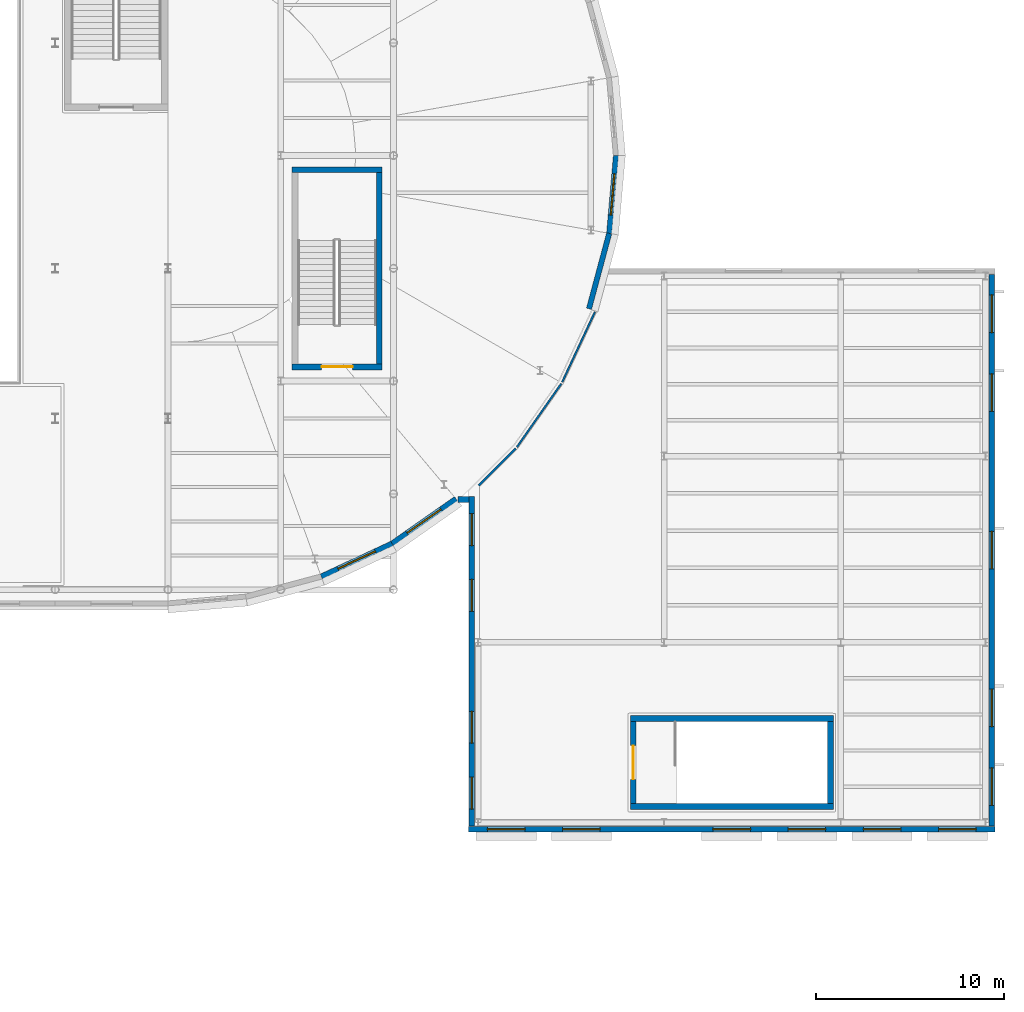
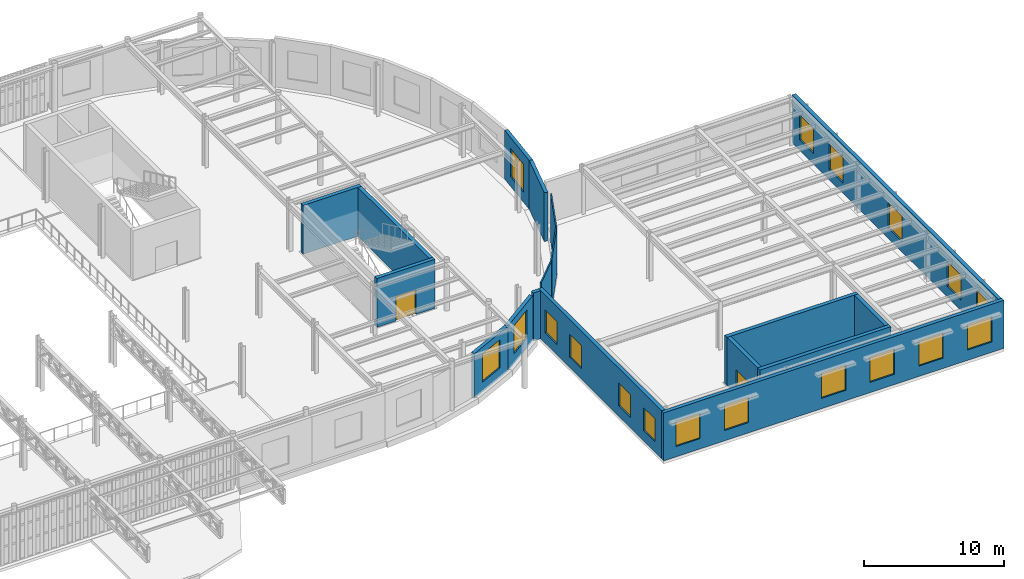
# One storey, part 70 of 91: 18 walls, 18 windows, 2 doors, 20 openings.
"""IFC4 building model written with IfcOpenShell, lengths in metres."""

from ifc_helpers import new_model, si_unit, direction, frame, frame_2d, origin, place, context, subcontext, project, spatial, rectangle, extrude, material, layer, layer_set, type_object, element, fill, save


model = new_model("IFC4")

# Units and contexts
model_context = context("Model", 3, precision=1e-05, world=origin(), true_north=direction((0.0, 1.0)))
body_context = subcontext(model_context, "Body", "Model", "MODEL_VIEW")
ifc_project = project(units=[si_unit("LENGTHUNIT", "METRE"), si_unit("AREAUNIT", "SQUARE_METRE"), si_unit("VOLUMEUNIT", "CUBIC_METRE"), si_unit("PLANEANGLEUNIT", "RADIAN"), si_unit("MASSUNIT", "GRAM", prefix="KILO")], contexts=[model_context])

# Site, building, storey
site_placement = place(None, origin())
site = spatial("IfcSite", under=ifc_project, at=site_placement, CompositionType="ELEMENT")
building_placement = place(site_placement, origin())
building = spatial("IfcBuilding", under=site, at=building_placement, Name="Kolvaren Corner Interchange", CompositionType="ELEMENT")
storey_placement = place(building_placement, frame((0.0, 0.0, 6.0)))
storey = spatial("IfcBuildingStorey", under=building, at=storey_placement, Name="L02", CompositionType="ELEMENT", Elevation=6.0)

# Wall, opening, door
ifc_material_1 = material(Name="Concrete C35/45", Category="concrete")
ifc_layer_1 = layer(ifc_material_1, 0.31005859375)
ifc_layer_set_1 = layer_set([ifc_layer_1], Name="Concrete C35/45")
wall_type_1 = type_object("IfcWallType", Name="WL-STAIR-300", PredefinedType="SHEAR", material=ifc_layer_set_1)
wall_1_placement = place(storey_placement, frame((126.60009765625, 36.7548828125, 0.0), z_axis=(0.0, 0.0, 1.0), x_axis=(1.0, 0.0, 0.0)))
wall_1 = element("IfcWall", 1, at=wall_1_placement, inside=storey, type_object=wall_type_1, Name="East Racetrack Concourse Gallery Stair L02 South Enclosure Wall", PredefinedType="SHEAR", context=body_context, shape_type="SweptSolid", body=[
    extrude(rectangle(XDim=4.7998046875, YDim=0.31005859375, at=frame_2d((2.39990234375, 0.0))), origin(), (0.0, 0.0, 1.0), 4.25),
])
opening_1_placement = place(wall_1_placement, frame((1.574951171875, 0.0, 0.0)))
opening_1 = element("IfcOpeningElement", 2, at=opening_1_placement, cuts=wall_1, Name="Opening D-F06", PredefinedType="OPENING", context=body_context, shape_type="SweptSolid", body=[
    extrude(rectangle(XDim=1.64990234375, YDim=2.14990234375, at=frame_2d((0.824951171875, 1.074951171875))), frame((0.0, 0.1650390625, 0.0), z_axis=(0.0, -1.0, 0.0), x_axis=(1.0, 0.0, 0.0)), (0.0, 0.0, 1.0), 0.330078125),
])
ifc_material_2 = material(Name="Powder-coated Fire-rated Steel Sheet", Category="steel")
door_type_1 = type_object("IfcDoorType", Name="DT-FD-1650x2150", OperationType="NOTDEFINED", PredefinedType="DOOR", material=ifc_material_2)
door_1_placement = place(opening_1_placement, origin())
door_1 = element("IfcDoor", 3, at=door_1_placement, inside=storey, type_object=door_type_1, Name="East Racetrack Concourse Gallery Stair L02 Protected Exit Door", OperationType="DOUBLE_DOOR_SINGLE_SWING", OverallHeight=2.14990234375, OverallWidth=1.64990234375, PredefinedType="DOOR", context=body_context, shape_type="SweptSolid", body=[
    extrude(rectangle(XDim=1.64990234375, YDim=2.14990234375, at=frame_2d((0.824951171875, 1.074951171875))), frame((0.0, 0.02490234375, 0.0), z_axis=(0.0, -1.0, 0.0), x_axis=(1.0, 0.0, 0.0)), (0.0, 0.0, 1.0), 0.050048828125),
])
fill(opening_1, door_1)

# Walls
wall_2_placement = place(storey_placement, frame((126.60009765625, 47.2451171875, 0.0), z_axis=(0.0, 0.0, 1.0), x_axis=(1.0, 0.0, 0.0)))
element("IfcWall", 4, at=wall_2_placement, inside=storey, type_object=wall_type_1, Name="East Racetrack Concourse Gallery Stair L02 North Enclosure Wall", PredefinedType="SHEAR", context=body_context, shape_type="SweptSolid", body=[
    extrude(rectangle(XDim=4.7998046875, YDim=0.31005859375, at=frame_2d((2.39990234375, 0.0))), origin(), (0.0, 0.0, 1.0), 4.25),
])
wall_3_placement = place(storey_placement, frame((131.2451171875, 36.909912109375, 0.0), z_axis=(0.0, 0.0, 1.0), x_axis=(0.0, 1.0, 0.0)))
element("IfcWall", 5, at=wall_3_placement, inside=storey, type_object=wall_type_1, Name="East Racetrack Concourse Gallery Stair L02 East Enclosure Wall", PredefinedType="SHEAR", context=body_context, shape_type="SweptSolid", body=[
    extrude(rectangle(XDim=10.18017578125, YDim=0.31005859375, at=frame_2d((5.090087890625, 0.0))), origin(), (0.0, 0.0, 1.0), 4.25),
])
for number, where, z_axis, x_axis, name in (
    (6, (144.60009765625, 13.35498046875, 0.0), (0.0, 0.0, 1.0), (1.0, 0.0, 0.0), "Bus Dispatch Lounge Exit Stair L02 South Enclosure Wall"),
    (7, (144.60009765625, 18.044921875, 0.0), (0.0, 0.0, 1.0), (1.0, 0.0, 0.0), "Bus Dispatch Lounge Exit Stair L02 North Enclosure Wall"),
):
    element("IfcWall", number, at=place(storey_placement, frame(where, z_axis=z_axis, x_axis=x_axis)), inside=storey, type_object=wall_type_1, Name=name, PredefinedType="SHEAR", context=body_context, shape_type="SweptSolid", body=[
        extrude(rectangle(XDim=10.7998046875, YDim=0.31005859375, at=frame_2d((5.39990234375, 0.0))), origin(), (0.0, 0.0, 1.0), 4.179931640625),
    ])

# Wall, opening, door
wall_4_placement = place(storey_placement, frame((144.7548828125, 13.510009765625, 0.0), z_axis=(0.0, 0.0, 1.0), x_axis=(0.0, 1.0, 0.0)))
wall_4 = element("IfcWall", 8, at=wall_4_placement, inside=storey, type_object=wall_type_1, Name="Bus Dispatch Lounge Exit Stair L02 West Enclosure Wall", PredefinedType="SHEAR", context=body_context, shape_type="SweptSolid", body=[
    extrude(rectangle(XDim=4.3798828125, YDim=0.31005859375, at=frame_2d((2.18994140625, 0.0))), origin(), (0.0, 0.0, 1.0), 4.179931640625),
])
opening_2_placement = place(wall_4_placement, frame((1.2900390625, 0.0, 0.0)))
opening_2 = element("IfcOpeningElement", 9, at=opening_2_placement, cuts=wall_4, Name="Opening D-F01", PredefinedType="OPENING", context=body_context, shape_type="SweptSolid", body=[
    extrude(rectangle(XDim=1.800048828125, YDim=2.14990234375, at=frame_2d((0.89990234375, 1.074951171875))), frame((0.0, 0.1650390625, 0.0), z_axis=(0.0, -1.0, 0.0), x_axis=(1.0, 0.0, 0.0)), (0.0, 0.0, 1.0), 0.330078125),
])
ifc_material_3 = material(Name="Powder-coated Fire-rated Steel Sheet", Category="steel")
door_type_2 = type_object("IfcDoorType", Name="DT-FD-1800x2150", OperationType="NOTDEFINED", PredefinedType="DOOR", material=ifc_material_3)
door_2_placement = place(opening_2_placement, origin())
door_2 = element("IfcDoor", 10, at=door_2_placement, inside=storey, type_object=door_type_2, Name="Bus Dispatch Lounge Exit Stair L02 Protected Exit Door", OperationType="DOUBLE_DOOR_SINGLE_SWING", OverallHeight=2.14990234375, OverallWidth=1.800048828125, PredefinedType="DOOR", context=body_context, shape_type="SweptSolid", body=[
    extrude(rectangle(XDim=1.800048828125, YDim=2.14990234375, at=frame_2d((0.89990234375, 1.074951171875))), frame((0.0, 0.02490234375, 0.0), z_axis=(0.0, -1.0, 0.0), x_axis=(1.0, 0.0, 0.0)), (0.0, 0.0, 1.0), 0.050048828125),
])
fill(opening_2, door_2)

# Wall
wall_5_placement = place(storey_placement, frame((155.2451171875, 13.510009765625, 0.0), z_axis=(0.0, 0.0, 1.0), x_axis=(0.0, 1.0, 0.0)))
element("IfcWall", 11, at=wall_5_placement, inside=storey, type_object=wall_type_1, Name="Bus Dispatch Lounge Exit Stair L02 East Enclosure Wall", PredefinedType="SHEAR", context=body_context, shape_type="SweptSolid", body=[
    extrude(rectangle(XDim=4.3798828125, YDim=0.31005859375, at=frame_2d((2.18994140625, 0.0))), origin(), (0.0, 0.0, 1.0), 4.179931640625),
])

# Wall, openings, windows
ifc_material_4 = material(Name="Ochre Architectural Terracotta Rainscreen Assembly", Category="masonry")
ifc_layer_2 = layer(ifc_material_4, 0.300048828125)
ifc_layer_set_2 = layer_set([ifc_layer_2], Name="Ochre Architectural Terracotta Rainscreen Assembly")
wall_type_2 = type_object("IfcWallType", Name="WT-EXT-OCH300", PredefinedType="SOLIDWALL", material=ifc_layer_set_2)
wall_6_placement = place(storey_placement, frame((136.0, 12.159912109375, 0.0), z_axis=(0.0, 0.0, 1.0), x_axis=(1.0, 0.0, 0.0)))
wall_6 = element("IfcWall", 12, at=wall_6_placement, inside=storey, type_object=wall_type_2, Name="Bus Lounge Upper South Facade Wall 0194", PredefinedType="SOLIDWALL", context=body_context, shape_type="SweptSolid", body=[
    extrude(rectangle(XDim=28.0, YDim=0.300048828125, at=frame_2d((14.0, 0.0))), origin(), (0.0, 0.0, 1.0), 4.179931640625),
])
opening_3_placement = place(wall_6_placement, frame((1.0, 0.0, 0.89990234375)))
opening_3 = element("IfcOpeningElement", 13, at=opening_3_placement, cuts=wall_6, Name="Opening W-06", PredefinedType="OPENING", context=body_context, shape_type="SweptSolid", body=[
    extrude(rectangle(XDim=2.0, YDim=2.199951171875, at=frame_2d((1.0, 1.10009765625))), frame((0.0, 0.159912109375, 0.0), z_axis=(0.0, -1.0, 0.0), x_axis=(1.0, 0.0, 0.0)), (0.0, 0.0, 1.0), 0.320068359375),
])
opening_4_placement = place(wall_6_placement, frame((5.0, 0.0, 0.89990234375)))
opening_4 = element("IfcOpeningElement", 14, at=opening_4_placement, cuts=wall_6, Name="Opening W-06", PredefinedType="OPENING", context=body_context, shape_type="SweptSolid", body=[
    extrude(rectangle(XDim=2.0, YDim=2.199951171875, at=frame_2d((1.0, 1.10009765625))), frame((0.0, 0.159912109375, 0.0), z_axis=(0.0, -1.0, 0.0), x_axis=(1.0, 0.0, 0.0)), (0.0, 0.0, 1.0), 0.320068359375),
])
opening_5_placement = place(wall_6_placement, frame((13.0, 0.0, 0.89990234375)))
opening_5 = element("IfcOpeningElement", 15, at=opening_5_placement, cuts=wall_6, Name="Opening W-06", PredefinedType="OPENING", context=body_context, shape_type="SweptSolid", body=[
    extrude(rectangle(XDim=2.0, YDim=2.199951171875, at=frame_2d((1.0, 1.10009765625))), frame((0.0, 0.159912109375, 0.0), z_axis=(0.0, -1.0, 0.0), x_axis=(1.0, 0.0, 0.0)), (0.0, 0.0, 1.0), 0.320068359375),
])
opening_6_placement = place(wall_6_placement, frame((17.0, 0.0, 0.89990234375)))
opening_6 = element("IfcOpeningElement", 16, at=opening_6_placement, cuts=wall_6, Name="Opening W-06", PredefinedType="OPENING", context=body_context, shape_type="SweptSolid", body=[
    extrude(rectangle(XDim=2.0, YDim=2.199951171875, at=frame_2d((1.0, 1.10009765625))), frame((0.0, 0.159912109375, 0.0), z_axis=(0.0, -1.0, 0.0), x_axis=(1.0, 0.0, 0.0)), (0.0, 0.0, 1.0), 0.320068359375),
])
opening_7_placement = place(wall_6_placement, frame((21.0, 0.0, 0.89990234375)))
opening_7 = element("IfcOpeningElement", 17, at=opening_7_placement, cuts=wall_6, Name="Opening W-06", PredefinedType="OPENING", context=body_context, shape_type="SweptSolid", body=[
    extrude(rectangle(XDim=2.0, YDim=2.199951171875, at=frame_2d((1.0, 1.10009765625))), frame((0.0, 0.159912109375, 0.0), z_axis=(0.0, -1.0, 0.0), x_axis=(1.0, 0.0, 0.0)), (0.0, 0.0, 1.0), 0.320068359375),
])
opening_8_placement = place(wall_6_placement, frame((25.0, 0.0, 0.89990234375)))
opening_8 = element("IfcOpeningElement", 18, at=opening_8_placement, cuts=wall_6, Name="Opening W-06", PredefinedType="OPENING", context=body_context, shape_type="SweptSolid", body=[
    extrude(rectangle(XDim=2.0, YDim=2.199951171875, at=frame_2d((1.0, 1.10009765625))), frame((0.0, 0.159912109375, 0.0), z_axis=(0.0, -1.0, 0.0), x_axis=(1.0, 0.0, 0.0)), (0.0, 0.0, 1.0), 0.320068359375),
])
ifc_material_5 = material(Name="Thermally Broken Aluminium and Solar-Control Double Glazing", Category="aluminium")
window_type_1 = type_object("IfcWindowType", Name="WT-CYC-2000x2200", PartitioningType="DOUBLE_PANEL_HORIZONTAL", PredefinedType="WINDOW", material=ifc_material_5)
window_1_placement = place(opening_3_placement, origin())
window_1 = element("IfcWindow", 19, at=window_1_placement, inside=storey, type_object=window_type_1, Name="L02 Bus Lounge Upper South Facade Window 0306", OverallHeight=2.199951171875, OverallWidth=2.0, PartitioningType="SINGLE_PANEL", PredefinedType="WINDOW", context=body_context, shape_type="SweptSolid", body=[
    extrude(rectangle(XDim=2.0, YDim=2.199951171875, at=frame_2d((1.0, 1.10009765625))), frame((0.0, 0.030029296875, 0.0), z_axis=(0.0, -1.0, 0.0), x_axis=(1.0, 0.0, 0.0)), (0.0, 0.0, 1.0), 0.06005859375),
])
fill(opening_3, window_1)
window_2_placement = place(opening_4_placement, origin())
window_2 = element("IfcWindow", 20, at=window_2_placement, inside=storey, type_object=window_type_1, Name="L02 Bus Lounge Upper South Facade Window 0307", OverallHeight=2.199951171875, OverallWidth=2.0, PartitioningType="SINGLE_PANEL", PredefinedType="WINDOW", context=body_context, shape_type="SweptSolid", body=[
    extrude(rectangle(XDim=2.0, YDim=2.199951171875, at=frame_2d((1.0, 1.10009765625))), frame((0.0, 0.030029296875, 0.0), z_axis=(0.0, -1.0, 0.0), x_axis=(1.0, 0.0, 0.0)), (0.0, 0.0, 1.0), 0.06005859375),
])
fill(opening_4, window_2)
window_3_placement = place(opening_5_placement, origin())
window_3 = element("IfcWindow", 21, at=window_3_placement, inside=storey, type_object=window_type_1, Name="L02 Bus Lounge Upper South Facade Window 0308", OverallHeight=2.199951171875, OverallWidth=2.0, PartitioningType="SINGLE_PANEL", PredefinedType="WINDOW", context=body_context, shape_type="SweptSolid", body=[
    extrude(rectangle(XDim=2.0, YDim=2.199951171875, at=frame_2d((1.0, 1.10009765625))), frame((0.0, 0.030029296875, 0.0), z_axis=(0.0, -1.0, 0.0), x_axis=(1.0, 0.0, 0.0)), (0.0, 0.0, 1.0), 0.06005859375),
])
fill(opening_5, window_3)
window_4_placement = place(opening_6_placement, origin())
window_4 = element("IfcWindow", 22, at=window_4_placement, inside=storey, type_object=window_type_1, Name="L02 Bus Lounge Upper South Facade Window 0309", OverallHeight=2.199951171875, OverallWidth=2.0, PartitioningType="SINGLE_PANEL", PredefinedType="WINDOW", context=body_context, shape_type="SweptSolid", body=[
    extrude(rectangle(XDim=2.0, YDim=2.199951171875, at=frame_2d((1.0, 1.10009765625))), frame((0.0, 0.030029296875, 0.0), z_axis=(0.0, -1.0, 0.0), x_axis=(1.0, 0.0, 0.0)), (0.0, 0.0, 1.0), 0.06005859375),
])
fill(opening_6, window_4)
window_5_placement = place(opening_7_placement, origin())
window_5 = element("IfcWindow", 23, at=window_5_placement, inside=storey, type_object=window_type_1, Name="L02 Bus Lounge Upper South Facade Window 0310", OverallHeight=2.199951171875, OverallWidth=2.0, PartitioningType="SINGLE_PANEL", PredefinedType="WINDOW", context=body_context, shape_type="SweptSolid", body=[
    extrude(rectangle(XDim=2.0, YDim=2.199951171875, at=frame_2d((1.0, 1.10009765625))), frame((0.0, 0.030029296875, 0.0), z_axis=(0.0, -1.0, 0.0), x_axis=(1.0, 0.0, 0.0)), (0.0, 0.0, 1.0), 0.06005859375),
])
fill(opening_7, window_5)
window_6_placement = place(opening_8_placement, origin())
window_6 = element("IfcWindow", 24, at=window_6_placement, inside=storey, type_object=window_type_1, Name="L02 Bus Lounge Upper South Facade Window 0311", OverallHeight=2.199951171875, OverallWidth=2.0, PartitioningType="SINGLE_PANEL", PredefinedType="WINDOW", context=body_context, shape_type="SweptSolid", body=[
    extrude(rectangle(XDim=2.0, YDim=2.199951171875, at=frame_2d((1.0, 1.10009765625))), frame((0.0, 0.030029296875, 0.0), z_axis=(0.0, -1.0, 0.0), x_axis=(1.0, 0.0, 0.0)), (0.0, 0.0, 1.0), 0.06005859375),
])
fill(opening_8, window_6)

wall_7_placement = place(storey_placement, frame((163.840087890625, 12.320068359375, 0.0), z_axis=(0.0, 0.0, 1.0), x_axis=(0.0, 1.0, 0.0)))
wall_7 = element("IfcWall", 25, at=wall_7_placement, inside=storey, type_object=wall_type_2, Name="Bus Lounge Upper East Facade Wall 0195", PredefinedType="SOLIDWALL", context=body_context, shape_type="SweptSolid", body=[
    extrude(rectangle(XDim=29.35986328125, YDim=0.300048828125, at=frame_2d((14.679931640625, 0.0))), origin(), (0.0, 0.0, 1.0), 4.179931640625),
])
opening_9_placement = place(wall_7_placement, frame((1.09716796875, 0.0, 0.89990234375)))
opening_9 = element("IfcOpeningElement", 26, at=opening_9_placement, cuts=wall_7, Name="Opening W-06", PredefinedType="OPENING", context=body_context, shape_type="SweptSolid", body=[
    extrude(rectangle(XDim=2.0, YDim=2.199951171875, at=frame_2d((1.0, 1.10009765625))), frame((0.0, 0.159912109375, 0.0), z_axis=(0.0, -1.0, 0.0), x_axis=(1.0, 0.0, 0.0)), (0.0, 0.0, 1.0), 0.320068359375),
])
opening_10_placement = place(wall_7_placement, frame((5.29150390625, 0.0, 0.89990234375)))
opening_10 = element("IfcOpeningElement", 27, at=opening_10_placement, cuts=wall_7, Name="Opening W-06", PredefinedType="OPENING", context=body_context, shape_type="SweptSolid", body=[
    extrude(rectangle(XDim=2.0, YDim=2.199951171875, at=frame_2d((1.0, 1.10009765625))), frame((0.0, 0.159912109375, 0.0), z_axis=(0.0, -1.0, 0.0), x_axis=(1.0, 0.0, 0.0)), (0.0, 0.0, 1.0), 0.320068359375),
])
opening_11_placement = place(wall_7_placement, frame((13.679931640625, 0.0, 0.89990234375)))
opening_11 = element("IfcOpeningElement", 28, at=opening_11_placement, cuts=wall_7, Name="Opening W-06", PredefinedType="OPENING", context=body_context, shape_type="SweptSolid", body=[
    extrude(rectangle(XDim=2.0, YDim=2.199951171875, at=frame_2d((1.0, 1.10009765625))), frame((0.0, 0.159912109375, 0.0), z_axis=(0.0, -1.0, 0.0), x_axis=(1.0, 0.0, 0.0)), (0.0, 0.0, 1.0), 0.320068359375),
])
opening_12_placement = place(wall_7_placement, frame((22.068603515625, 0.0, 0.89990234375)))
opening_12 = element("IfcOpeningElement", 29, at=opening_12_placement, cuts=wall_7, Name="Opening W-06", PredefinedType="OPENING", context=body_context, shape_type="SweptSolid", body=[
    extrude(rectangle(XDim=2.0, YDim=2.199951171875, at=frame_2d((1.0, 1.10009765625))), frame((0.0, 0.159912109375, 0.0), z_axis=(0.0, -1.0, 0.0), x_axis=(1.0, 0.0, 0.0)), (0.0, 0.0, 1.0), 0.320068359375),
])
opening_13_placement = place(wall_7_placement, frame((26.262939453125, 0.0, 0.89990234375)))
opening_13 = element("IfcOpeningElement", 30, at=opening_13_placement, cuts=wall_7, Name="Opening W-06", PredefinedType="OPENING", context=body_context, shape_type="SweptSolid", body=[
    extrude(rectangle(XDim=2.0, YDim=2.199951171875, at=frame_2d((1.0, 1.10009765625))), frame((0.0, 0.159912109375, 0.0), z_axis=(0.0, -1.0, 0.0), x_axis=(1.0, 0.0, 0.0)), (0.0, 0.0, 1.0), 0.320068359375),
])
window_7_placement = place(opening_9_placement, origin())
window_7 = element("IfcWindow", 31, at=window_7_placement, inside=storey, type_object=window_type_1, Name="L02 Bus Lounge Upper East Facade Window 0312", OverallHeight=2.199951171875, OverallWidth=2.0, PartitioningType="SINGLE_PANEL", PredefinedType="WINDOW", context=body_context, shape_type="SweptSolid", body=[
    extrude(rectangle(XDim=2.0, YDim=2.199951171875, at=frame_2d((1.0, 1.10009765625))), frame((0.0, 0.030029296875, 0.0), z_axis=(0.0, -1.0, 0.0), x_axis=(1.0, 0.0, 0.0)), (0.0, 0.0, 1.0), 0.06005859375),
])
fill(opening_9, window_7)
window_8_placement = place(opening_10_placement, origin())
window_8 = element("IfcWindow", 32, at=window_8_placement, inside=storey, type_object=window_type_1, Name="L02 Bus Lounge Upper East Facade Window 0313", OverallHeight=2.199951171875, OverallWidth=2.0, PartitioningType="SINGLE_PANEL", PredefinedType="WINDOW", context=body_context, shape_type="SweptSolid", body=[
    extrude(rectangle(XDim=2.0, YDim=2.199951171875, at=frame_2d((1.0, 1.10009765625))), frame((0.0, 0.030029296875, 0.0), z_axis=(0.0, -1.0, 0.0), x_axis=(1.0, 0.0, 0.0)), (0.0, 0.0, 1.0), 0.06005859375),
])
fill(opening_10, window_8)
window_9_placement = place(opening_11_placement, origin())
window_9 = element("IfcWindow", 33, at=window_9_placement, inside=storey, type_object=window_type_1, Name="L02 Bus Lounge Upper East Facade Window 0314", OverallHeight=2.199951171875, OverallWidth=2.0, PartitioningType="SINGLE_PANEL", PredefinedType="WINDOW", context=body_context, shape_type="SweptSolid", body=[
    extrude(rectangle(XDim=2.0, YDim=2.199951171875, at=frame_2d((1.0, 1.10009765625))), frame((0.0, 0.030029296875, 0.0), z_axis=(0.0, -1.0, 0.0), x_axis=(1.0, 0.0, 0.0)), (0.0, 0.0, 1.0), 0.06005859375),
])
fill(opening_11, window_9)
window_10_placement = place(opening_12_placement, origin())
window_10 = element("IfcWindow", 34, at=window_10_placement, inside=storey, type_object=window_type_1, Name="L02 Bus Lounge Upper East Facade Window 0315", OverallHeight=2.199951171875, OverallWidth=2.0, PartitioningType="SINGLE_PANEL", PredefinedType="WINDOW", context=body_context, shape_type="SweptSolid", body=[
    extrude(rectangle(XDim=2.0, YDim=2.199951171875, at=frame_2d((1.0, 1.10009765625))), frame((0.0, 0.030029296875, 0.0), z_axis=(0.0, -1.0, 0.0), x_axis=(1.0, 0.0, 0.0)), (0.0, 0.0, 1.0), 0.06005859375),
])
fill(opening_12, window_10)
window_11_placement = place(opening_13_placement, origin())
window_11 = element("IfcWindow", 35, at=window_11_placement, inside=storey, type_object=window_type_1, Name="L02 Bus Lounge Upper East Facade Window 0316", OverallHeight=2.199951171875, OverallWidth=2.0, PartitioningType="SINGLE_PANEL", PredefinedType="WINDOW", context=body_context, shape_type="SweptSolid", body=[
    extrude(rectangle(XDim=2.0, YDim=2.199951171875, at=frame_2d((1.0, 1.10009765625))), frame((0.0, 0.030029296875, 0.0), z_axis=(0.0, -1.0, 0.0), x_axis=(1.0, 0.0, 0.0)), (0.0, 0.0, 1.0), 0.06005859375),
])
fill(opening_13, window_11)

# Wall
wall_8_placement = place(storey_placement, frame((135.419921875, 29.699951171875, 0.0), z_axis=(0.0, 0.0, 1.0), x_axis=(1.0, 0.0, 0.0)))
element("IfcWall", 36, at=wall_8_placement, inside=storey, type_object=wall_type_2, Name="Bus Lounge Racetrack Closure Wall 0197", PredefinedType="SOLIDWALL", context=body_context, shape_type="SweptSolid", body=[
    extrude(rectangle(XDim=0.590087890625, YDim=0.300048828125, at=frame_2d((0.294921875, 0.0))), origin(), (0.0, 0.0, 1.0), 4.179931640625),
])

# Wall, openings, windows
wall_9_placement = place(storey_placement, frame((136.159912109375, 29.85009765625, 0.0), z_axis=(0.0, 0.0, 1.0), x_axis=(0.0, -1.0, 0.0)))
wall_9 = element("IfcWall", 37, at=wall_9_placement, inside=storey, type_object=wall_type_2, Name="Bus Lounge Upper West Forecourt Facade Wall 0198", PredefinedType="SOLIDWALL", context=body_context, shape_type="SweptSolid", body=[
    extrude(rectangle(XDim=17.530029296875, YDim=0.300048828125, at=frame_2d((8.76513671875, 0.0))), origin(), (0.0, 0.0, 1.0), 4.179931640625),
])
opening_14_placement = place(wall_9_placement, frame((0.903076171875, 0.0, 0.89990234375)))
opening_14 = element("IfcOpeningElement", 38, at=opening_14_placement, cuts=wall_9, Name="Opening W-16", PredefinedType="OPENING", context=body_context, shape_type="SweptSolid", body=[
    extrude(rectangle(XDim=1.699951171875, YDim=2.0, at=frame_2d((0.85009765625, 1.0))), frame((0.0, 0.159912109375, 0.0), z_axis=(0.0, -1.0, 0.0), x_axis=(1.0, 0.0, 0.0)), (0.0, 0.0, 1.0), 0.320068359375),
])
opening_15_placement = place(wall_9_placement, frame((4.408935546875, 0.0, 0.89990234375)))
opening_15 = element("IfcOpeningElement", 39, at=opening_15_placement, cuts=wall_9, Name="Opening W-16", PredefinedType="OPENING", context=body_context, shape_type="SweptSolid", body=[
    extrude(rectangle(XDim=1.699951171875, YDim=2.0, at=frame_2d((0.85009765625, 1.0))), frame((0.0, 0.159912109375, 0.0), z_axis=(0.0, -1.0, 0.0), x_axis=(1.0, 0.0, 0.0)), (0.0, 0.0, 1.0), 0.320068359375),
])
opening_16_placement = place(wall_9_placement, frame((11.4208984375, 0.0, 0.89990234375)))
opening_16 = element("IfcOpeningElement", 40, at=opening_16_placement, cuts=wall_9, Name="Opening W-16", PredefinedType="OPENING", context=body_context, shape_type="SweptSolid", body=[
    extrude(rectangle(XDim=1.699951171875, YDim=2.0, at=frame_2d((0.85009765625, 1.0))), frame((0.0, 0.159912109375, 0.0), z_axis=(0.0, -1.0, 0.0), x_axis=(1.0, 0.0, 0.0)), (0.0, 0.0, 1.0), 0.320068359375),
])
opening_17_placement = place(wall_9_placement, frame((14.927001953125, 0.0, 0.89990234375)))
opening_17 = element("IfcOpeningElement", 41, at=opening_17_placement, cuts=wall_9, Name="Opening W-16", PredefinedType="OPENING", context=body_context, shape_type="SweptSolid", body=[
    extrude(rectangle(XDim=1.699951171875, YDim=2.0, at=frame_2d((0.85009765625, 1.0))), frame((0.0, 0.159912109375, 0.0), z_axis=(0.0, -1.0, 0.0), x_axis=(1.0, 0.0, 0.0)), (0.0, 0.0, 1.0), 0.320068359375),
])
ifc_material_6 = material(Name="Thermally Broken Aluminium and Solar-Control Double Glazing", Category="aluminium")
window_type_2 = type_object("IfcWindowType", Name="WT-CYC-1700x2000", PartitioningType="DOUBLE_PANEL_HORIZONTAL", PredefinedType="WINDOW", material=ifc_material_6)
window_12_placement = place(opening_14_placement, origin())
window_12 = element("IfcWindow", 42, at=window_12_placement, inside=storey, type_object=window_type_2, Name="L02 Bus Lounge Upper West Forecourt Facade Window 0319", OverallHeight=2.0, OverallWidth=1.699951171875, PartitioningType="SINGLE_PANEL", PredefinedType="WINDOW", context=body_context, shape_type="SweptSolid", body=[
    extrude(rectangle(XDim=1.699951171875, YDim=2.0, at=frame_2d((0.85009765625, 1.0))), frame((0.0, 0.030029296875, 0.0), z_axis=(0.0, -1.0, 0.0), x_axis=(1.0, 0.0, 0.0)), (0.0, 0.0, 1.0), 0.06005859375),
])
fill(opening_14, window_12)
window_13_placement = place(opening_15_placement, origin())
window_13 = element("IfcWindow", 43, at=window_13_placement, inside=storey, type_object=window_type_2, Name="L02 Bus Lounge Upper West Forecourt Facade Window 0320", OverallHeight=2.0, OverallWidth=1.699951171875, PartitioningType="SINGLE_PANEL", PredefinedType="WINDOW", context=body_context, shape_type="SweptSolid", body=[
    extrude(rectangle(XDim=1.699951171875, YDim=2.0, at=frame_2d((0.85009765625, 1.0))), frame((0.0, 0.030029296875, 0.0), z_axis=(0.0, -1.0, 0.0), x_axis=(1.0, 0.0, 0.0)), (0.0, 0.0, 1.0), 0.06005859375),
])
fill(opening_15, window_13)
window_14_placement = place(opening_16_placement, origin())
window_14 = element("IfcWindow", 44, at=window_14_placement, inside=storey, type_object=window_type_2, Name="L02 Bus Lounge Upper West Forecourt Facade Window 0321", OverallHeight=2.0, OverallWidth=1.699951171875, PartitioningType="SINGLE_PANEL", PredefinedType="WINDOW", context=body_context, shape_type="SweptSolid", body=[
    extrude(rectangle(XDim=1.699951171875, YDim=2.0, at=frame_2d((0.85009765625, 1.0))), frame((0.0, 0.030029296875, 0.0), z_axis=(0.0, -1.0, 0.0), x_axis=(1.0, 0.0, 0.0)), (0.0, 0.0, 1.0), 0.06005859375),
])
fill(opening_16, window_14)
window_15_placement = place(opening_17_placement, origin())
window_15 = element("IfcWindow", 45, at=window_15_placement, inside=storey, type_object=window_type_2, Name="L02 Bus Lounge Upper West Forecourt Facade Window 0322", OverallHeight=2.0, OverallWidth=1.699951171875, PartitioningType="SINGLE_PANEL", PredefinedType="WINDOW", context=body_context, shape_type="SweptSolid", body=[
    extrude(rectangle(XDim=1.699951171875, YDim=2.0, at=frame_2d((0.85009765625, 1.0))), frame((0.0, 0.030029296875, 0.0), z_axis=(0.0, -1.0, 0.0), x_axis=(1.0, 0.0, 0.0)), (0.0, 0.0, 1.0), 0.06005859375),
])
fill(opening_17, window_15)

# Wall, opening, window
ifc_material_7 = material(Name="White Glazed Ceramic Terracotta Band Assembly", Category="masonry")
ifc_layer_3 = layer(ifc_material_7, 0.280029296875)
ifc_layer_set_3 = layer_set([ifc_layer_3], Name="White Glazed Ceramic Terracotta Band Assembly")
wall_type_3 = type_object("IfcWallType", Name="WT-EXT-WHT280", PredefinedType="SOLIDWALL", material=ifc_layer_set_3)
wall_10_placement = place(storey_placement, frame((128.15380859375, 25.59765625, 0.0), z_axis=(0.0, 0.0, 1.0), x_axis=(0.906291177731, 0.422653878685, 0.0)))
wall_10 = element("IfcWall", 46, at=wall_10_placement, inside=storey, type_object=wall_type_3, Name="Racetrack East Curved Drum Chord 03 Wall 0118", PredefinedType="SOLIDWALL", context=body_context, shape_type="SweptSolid", body=[
    extrude(rectangle(XDim=4.155517578125, YDim=0.280029296875, at=frame_2d((2.07763671875, 0.0))), origin(), (0.0, 0.0, 1.0), 3.905029296875),
])
opening_18_placement = place(wall_10_placement, frame((0.977783203125, 0.0, 0.85009765625)))
opening_18 = element("IfcOpeningElement", 47, at=opening_18_placement, cuts=wall_10, Name="Opening W-04", PredefinedType="OPENING", context=body_context, shape_type="SweptSolid", body=[
    extrude(rectangle(XDim=2.199951171875, YDim=2.449951171875, at=frame_2d((1.10009765625, 1.22509765625))), frame((0.0, 0.14990234375, 0.0), z_axis=(0.0, -1.0, 0.0), x_axis=(1.0, 0.0, 0.0)), (0.0, 0.0, 1.0), 0.300048828125),
])
ifc_material_8 = material(Name="Thermally Broken Aluminium and Solar-Control Double Glazing", Category="aluminium")
window_type_3 = type_object("IfcWindowType", Name="WT-ARC-2200x2450", PartitioningType="DOUBLE_PANEL_VERTICAL", PredefinedType="WINDOW", material=ifc_material_8)
window_16_placement = place(opening_18_placement, origin())
window_16 = element("IfcWindow", 48, at=window_16_placement, inside=storey, type_object=window_type_3, Name="L02 Racetrack East Curved Drum Chord 03 Window 0185", OverallHeight=2.449951171875, OverallWidth=2.199951171875, PartitioningType="SINGLE_PANEL", PredefinedType="WINDOW", context=body_context, shape_type="SweptSolid", body=[
    extrude(rectangle(XDim=2.199951171875, YDim=2.449951171875, at=frame_2d((1.10009765625, 1.22509765625))), frame((0.0, 0.030029296875, 0.0), z_axis=(0.0, -1.0, 0.0), x_axis=(1.0, 0.0, 0.0)), (0.0, 0.0, 1.0), 0.06005859375),
])
fill(opening_18, window_16)

wall_11_placement = place(storey_placement, frame((131.919921875, 27.35400390625, 0.0), z_axis=(0.0, 0.0, 1.0), x_axis=(0.819171197327, 0.573549082007, 0.0)))
wall_11 = element("IfcWall", 49, at=wall_11_placement, inside=storey, type_object=wall_type_3, Name="Racetrack East Curved Drum Chord 04 Wall 0119", PredefinedType="SOLIDWALL", context=body_context, shape_type="SweptSolid", body=[
    extrude(rectangle(XDim=4.15576171875, YDim=0.280029296875, at=frame_2d((2.077880859375, 0.0))), origin(), (0.0, 0.0, 1.0), 3.925048828125),
])
opening_19_placement = place(wall_11_placement, frame((0.977783203125, 0.0, 0.85009765625)))
opening_19 = element("IfcOpeningElement", 50, at=opening_19_placement, cuts=wall_11, Name="Opening W-04", PredefinedType="OPENING", context=body_context, shape_type="SweptSolid", body=[
    extrude(rectangle(XDim=2.199951171875, YDim=2.449951171875, at=frame_2d((1.10009765625, 1.22509765625))), frame((0.0, 0.14990234375, 0.0), z_axis=(0.0, -1.0, 0.0), x_axis=(1.0, 0.0, 0.0)), (0.0, 0.0, 1.0), 0.300048828125),
])
window_17_placement = place(opening_19_placement, origin())
window_17 = element("IfcWindow", 51, at=window_17_placement, inside=storey, type_object=window_type_3, Name="L02 Racetrack East Curved Drum Chord 04 Window 0186", OverallHeight=2.449951171875, OverallWidth=2.199951171875, PartitioningType="SINGLE_PANEL", PredefinedType="WINDOW", context=body_context, shape_type="SweptSolid", body=[
    extrude(rectangle(XDim=2.199951171875, YDim=2.449951171875, at=frame_2d((1.10009765625, 1.22509765625))), frame((0.0, 0.030029296875, 0.0), z_axis=(0.0, -1.0, 0.0), x_axis=(1.0, 0.0, 0.0)), (0.0, 0.0, 1.0), 0.06005859375),
])
fill(opening_19, window_17)

# Wall
wall_12_placement = place(storey_placement, frame((142.40234375, 39.84619140625, 0.0), z_axis=(0.0, 0.0, 1.0), x_axis=(0.258799713026, 0.965931006096, 0.0)))
element("IfcWall", 52, at=wall_12_placement, inside=storey, type_object=wall_type_3, Name="Racetrack East Curved Drum Chord 08 Wall 0120", PredefinedType="SOLIDWALL", context=body_context, shape_type="SweptSolid", body=[
    extrude(rectangle(XDim=4.155517578125, YDim=0.280029296875, at=frame_2d((2.07763671875, 0.0))), origin(), (0.0, 0.0, 1.0), 4.25),
])

# Wall, opening, window
wall_13_placement = place(storey_placement, frame((143.477783203125, 43.860107421875, 0.0), z_axis=(0.0, 0.0, 1.0), x_axis=(0.087182254487, 0.99619237826, 0.0)))
wall_13 = element("IfcWall", 53, at=wall_13_placement, inside=storey, type_object=wall_type_3, Name="Racetrack East Curved Drum Chord 09 Wall 0121", PredefinedType="SOLIDWALL", context=body_context, shape_type="SweptSolid", body=[
    extrude(rectangle(XDim=4.15576171875, YDim=0.280029296875, at=frame_2d((2.077880859375, 0.0))), origin(), (0.0, 0.0, 1.0), 4.25),
])
opening_20_placement = place(wall_13_placement, frame((0.977783203125, 0.0, 0.85009765625)))
opening_20 = element("IfcOpeningElement", 54, at=opening_20_placement, cuts=wall_13, Name="Opening W-04", PredefinedType="OPENING", context=body_context, shape_type="SweptSolid", body=[
    extrude(rectangle(XDim=2.199951171875, YDim=2.449951171875, at=frame_2d((1.10009765625, 1.22509765625))), frame((0.0, 0.14990234375, 0.0), z_axis=(0.0, -1.0, 0.0), x_axis=(1.0, 0.0, 0.0)), (0.0, 0.0, 1.0), 0.300048828125),
])
window_18_placement = place(opening_20_placement, origin())
window_18 = element("IfcWindow", 55, at=window_18_placement, inside=storey, type_object=window_type_3, Name="L02 Racetrack East Curved Drum Chord 09 Window 0187", OverallHeight=2.449951171875, OverallWidth=2.199951171875, PartitioningType="SINGLE_PANEL", PredefinedType="WINDOW", context=body_context, shape_type="SweptSolid", body=[
    extrude(rectangle(XDim=2.199951171875, YDim=2.449951171875, at=frame_2d((1.10009765625, 1.22509765625))), frame((0.0, 0.030029296875, 0.0), z_axis=(0.0, -1.0, 0.0), x_axis=(1.0, 0.0, 0.0)), (0.0, 0.0, 1.0), 0.06005859375),
])
fill(opening_20, window_18)

# Walls
ifc_material_9 = material(Name="Framed Acoustic Glazed Office Screen")
ifc_layer_4 = layer(ifc_material_9, 0.10009765625)
ifc_layer_set_4 = layer_set([ifc_layer_4], Name="Framed Acoustic Glazed Office Screen")
wall_type_4 = type_object("IfcWallType", Name="WT-PART-GL100", PredefinedType="MOVABLE", material=ifc_layer_set_4)
for number, where, z_axis, x_axis, name in (
    (56, (142.719482421875, 39.677734375, 0.0), (0.0, 0.0, 1.0), (-0.422622572233, -0.906305777009, 0.0), "L02 Bus Dispatch and Passenger Lounge Partition Wall 082"),
    (57, (140.92919921875, 35.85888671875, 0.0), (0.0, 0.0, 1.0), (-0.573625461609, -0.819117714247, 0.0), "L02 Bus Dispatch and Passenger Lounge Partition Wall 083"),
):
    element("IfcWall", number, at=place(storey_placement, frame(where, z_axis=z_axis, x_axis=x_axis)), inside=storey, type_object=wall_type_4, Name=name, PredefinedType="MOVABLE", context=body_context, shape_type="SweptSolid", body=[
        extrude(rectangle(XDim=4.1181640625, YDim=0.10009765625, at=frame_2d((2.05908203125, 0.0))), origin(), (0.0, 0.0, 1.0), 4.159912109375),
    ])
wall_14_placement = place(storey_placement, frame((138.5029296875, 32.4091796875, 0.0), z_axis=(0.0, 0.0, 1.0), x_axis=(-0.707106781187, -0.707106781187, 0.0)))
element("IfcWall", 58, at=wall_14_placement, inside=storey, type_object=wall_type_4, Name="L02 Bus Dispatch and Passenger Lounge Partition Wall 084", PredefinedType="MOVABLE", context=body_context, shape_type="SweptSolid", body=[
    extrude(rectangle(XDim=2.782470703125, YDim=0.10009765625, at=frame_2d((1.39111328125, 0.0))), origin(), (0.0, 0.0, 1.0), 4.159912109375),
])

save(model, "model.ifc")
